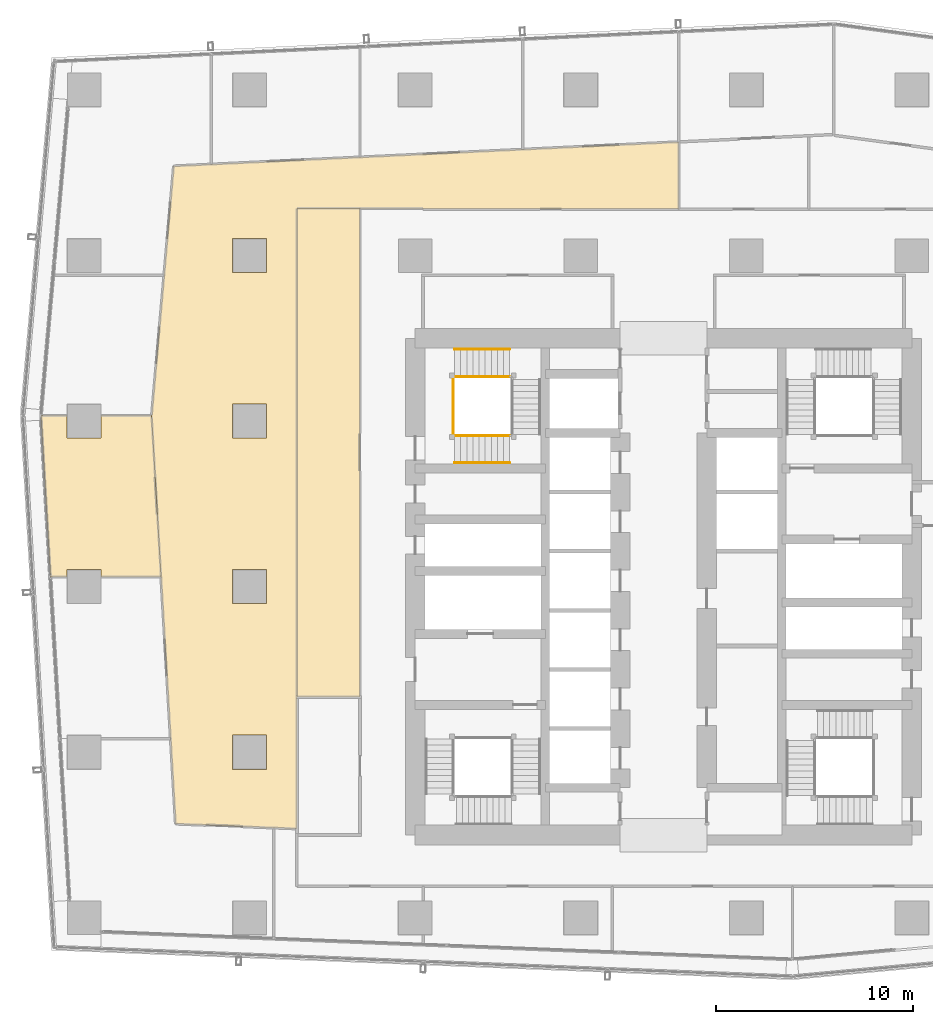
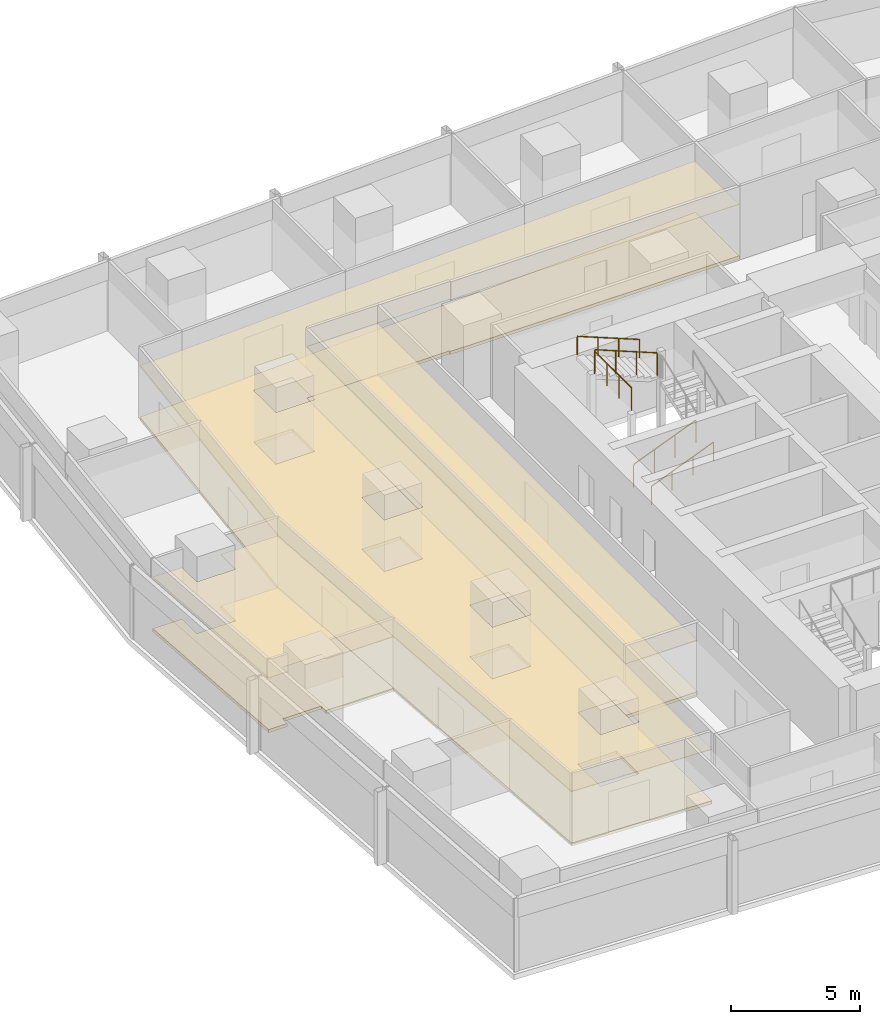
# One storey, part 30 of 34: 6 coverings, 5 railings.
"""IFC4 building model written with IfcOpenShell, lengths in metres."""

import ifcopenshell
import ifcopenshell.guid

model = None  # the IFC model being written
_history = None  # IfcOwnerHistory: only IFC2X3 demands one
_inside = {}  # id of a spatial element -> (the spatial element, [elements in it])
_under = {}  # id of a project, library or spatial element -> (it, [spatial elements below it])
_declared = {}  # id of a project -> (the project, [libraries it declares])
_typed = {}  # id of a type object -> (the type object, [elements of that type])
_made_of = {}  # id of a material, layer set ... -> (it, [elements and type objects made of it])


def new_model(schema):
    """Start an empty IFC model of exactly this schema.

    Asked for "IFC4X3", IfcOpenShell would pick the latest addendum, in which some entities
    have other attributes; the version numbers below select the first issue.
    IFC2X3 requires an IfcOwnerHistory on every rooted entity: one is made here for all.
    """
    global model, _history
    if schema == "IFC4X3":
        model = ifcopenshell.file(schema_version=(4, 3, 0, 0))
    else:
        model = ifcopenshell.file(schema=schema)
    _inside.clear()
    _under.clear()
    _declared.clear()
    _typed.clear()
    _made_of.clear()
    _history = None
    if model.schema == "IFC2X3":
        org = make("IfcOrganization", Name="unknown")
        user = make(
            "IfcPersonAndOrganization",
            ThePerson=make("IfcPerson", FamilyName="unknown"),
            TheOrganization=org,
        )
        app = make(
            "IfcApplication",
            ApplicationDeveloper=org,
            Version="unknown",
            ApplicationFullName="unknown",
            ApplicationIdentifier="unknown",
        )
        _history = make(
            "IfcOwnerHistory",
            OwningUser=user,
            OwningApplication=app,
            ChangeAction="ADDED",
            CreationDate=0,
        )
    return model


def make(cls, **values):
    """One entity of the class cls with the attributes given. An attribute that is None is left unset."""
    return model.create_entity(
        cls, **{name: value for name, value in values.items() if value is not None}
    )


def rooted(cls, **values):
    """An entity with a GlobalId (a new one), such as an element, a storey or a relation."""
    return make(cls, GlobalId=ifcopenshell.guid.new(), OwnerHistory=_history, **values)


def si_unit(unit_type, name, prefix=None):
    """IfcSIUnit, for example si_unit("LENGTHUNIT", "METRE", prefix="MILLI")."""
    return make("IfcSIUnit", UnitType=unit_type, Prefix=prefix, Name=name)


def assignment(units):
    """IfcUnitAssignment: the units of a project."""
    return None if units is None else make("IfcUnitAssignment", Units=units)


def point(xyz):
    """IfcCartesianPoint."""
    return None if xyz is None else make("IfcCartesianPoint", Coordinates=xyz)


def direction(xyz):
    """IfcDirection."""
    return None if xyz is None else make("IfcDirection", DirectionRatios=xyz)


def frame(location, z_axis=None, x_axis=None):
    """IfcAxis2Placement3D, a coordinate frame: its origin and axes. An axis left out is left unset."""
    return make(
        "IfcAxis2Placement3D",
        Location=point(location),
        Axis=direction(z_axis),
        RefDirection=direction(x_axis),
    )


def frame_2d(location, x_axis=None):
    """IfcAxis2Placement2D, a coordinate frame in the plane: its origin and x axis."""
    return make(
        "IfcAxis2Placement2D", Location=point(location), RefDirection=direction(x_axis)
    )


def origin():
    """The frame at (0, 0, 0) with its axes left unset."""
    return frame((0.0, 0.0, 0.0))


def origin_2d():
    """The frame at (0, 0) in the plane with its x axis left unset."""
    return frame_2d((0.0, 0.0))


def place(relative_to, where):
    """IfcLocalPlacement: puts the frame where relative to a parent placement (None: the world)."""
    return make(
        "IfcLocalPlacement", PlacementRelTo=relative_to, RelativePlacement=where
    )


def context(
    kind, dimensions, precision=None, world=None, true_north=None, identifier=None
):
    """IfcGeometricRepresentationContext, for example the 3D "Model" context."""
    return make(
        "IfcGeometricRepresentationContext",
        ContextIdentifier=identifier,
        ContextType=kind,
        CoordinateSpaceDimension=dimensions,
        Precision=precision,
        WorldCoordinateSystem=world,
        TrueNorth=true_north,
    )


def subcontext(parent, identifier, kind, view, scale=None):
    """IfcGeometricRepresentationSubContext, for example "Body" below "Model"."""
    return make(
        "IfcGeometricRepresentationSubContext",
        ContextIdentifier=identifier,
        ContextType=kind,
        ParentContext=parent,
        TargetScale=scale,
        TargetView=view,
    )


def project(units=None, contexts=None):
    """IfcProject with its units and contexts."""
    return rooted(
        "IfcProject",
        Name="project",
        RepresentationContexts=contexts,
        UnitsInContext=assignment(units),
    )


def spatial(cls, under=None, at=None, **own):
    """A site, building, storey or space (cls), placed at a placement, below another one or the project."""
    s = rooted(cls, ObjectPlacement=at, **own)
    if under is not None:
        _under.setdefault(under.id(), (under, []))[1].append(s)
    return s


def polyline(points):
    """IfcPolyline through the points."""
    return make("IfcPolyline", Points=[point(p) for p in points])


def profile(cls, at=None, kind="AREA", **sizes):
    """A parametric profile (cls). Its sizes go by their IFC names, for example OverallWidth=200.0."""
    return make(cls, ProfileType=kind, Position=at, **sizes)


def circle(**sizes):
    """IfcCircleProfileDef."""
    return profile("IfcCircleProfileDef", **sizes)


def outline(outer, holes=None, kind="AREA"):
    """IfcArbitraryClosedProfileDef: a profile drawn as a closed curve; with holes, ...WithVoids."""
    if holes is None:
        return make("IfcArbitraryClosedProfileDef", ProfileType=kind, OuterCurve=outer)
    return make(
        "IfcArbitraryProfileDefWithVoids",
        ProfileType=kind,
        OuterCurve=outer,
        InnerCurves=holes,
    )


def extrude(swept, where, along, depth):
    """IfcExtrudedAreaSolid: the profile swept, set in the frame where, extruded along a direction by depth."""
    return make(
        "IfcExtrudedAreaSolid",
        SweptArea=swept,
        Position=where,
        ExtrudedDirection=direction(along),
        Depth=depth,
    )


def shape(context_of_items, identifier, shape_type, items):
    """IfcShapeRepresentation: the items that make up one representation, for example the "Body"."""
    return make(
        "IfcShapeRepresentation",
        ContextOfItems=context_of_items,
        RepresentationIdentifier=identifier,
        RepresentationType=shape_type,
        Items=items,
    )


def material(Name=None, Category=None):
    """IfcMaterial."""
    return make("IfcMaterial", Name=Name, Category=Category)


def layer(
    of_material, thickness, ventilated=None, Name=None, Category=None, Priority=None
):
    """IfcMaterialLayer: one layer of a wall or slab, of a material (None: an air gap)."""
    return make(
        "IfcMaterialLayer",
        Material=of_material,
        LayerThickness=thickness,
        IsVentilated=ventilated,
        Name=Name,
        Category=Category,
        Priority=Priority,
    )


def layer_set(layers, Name=None):
    """IfcMaterialLayerSet."""
    return make("IfcMaterialLayerSet", MaterialLayers=layers, LayerSetName=Name)


def made_of(thing, what):
    """Note that an element or type object is made of a material, layer set ...; save() writes the relation."""
    if what is not None:
        _made_of.setdefault(what.id(), (what, []))[1].append(thing)
    return thing


def type_object(cls, material=None, **own):
    """A type object (cls), such as IfcWallType, which elements share."""
    return made_of(rooted(cls, **own), material)


def element(
    cls,
    number,
    at=None,
    inside=None,
    cuts=None,
    type_object=None,
    material=None,
    context=None,
    identifier="Body",
    shape_type=None,
    held_by="IfcProductDefinitionShape",
    body=None,
    shapes=None,
    **own,
):
    """One element of the class cls, such as IfcWall. Its Tag is "e" and its number.

    at: its placement. inside: the storey or other place that contains it. cuts: it is an
    opening in that element (IfcRelVoidsElement). A single representation is given by context,
    identifier, shape_type and body (its items); several are given by shapes. held_by: the class
    of the entity that holds the representations. save() writes the other relations.
    """
    e = rooted(cls, Tag="e%d" % number, ObjectPlacement=at, **own)
    if body is not None:
        shapes = [shape(context, identifier, shape_type, body)]
    if shapes is not None:
        e.Representation = make(held_by, Representations=shapes)
    if inside is not None:
        _inside.setdefault(inside.id(), (inside, []))[1].append(e)
    if cuts is not None:
        rooted(
            "IfcRelVoidsElement", RelatingBuildingElement=cuts, RelatedOpeningElement=e
        )
    if type_object is not None:
        _typed.setdefault(type_object.id(), (type_object, []))[1].append(e)
    return made_of(e, material)


def aggregate(whole, parts):
    """IfcRelAggregates: a whole, such as a stair, and the parts it consists of."""
    return rooted("IfcRelAggregates", RelatingObject=whole, RelatedObjects=parts)


def save(model, path):
    """Write the relations noted so far, then the file.

    IfcRelAggregates (storeys below a building ...), IfcRelContainedInSpatialStructure (elements
    in a storey), IfcRelDefinesByType, IfcRelAssociatesMaterial and IfcRelDeclares: one each for
    every whole, place, type object, material and project.
    """
    for whole, parts in _under.values():
        aggregate(whole, parts)
    for where, things in _inside.values():
        rooted(
            "IfcRelContainedInSpatialStructure",
            RelatedElements=things,
            RelatingStructure=where,
        )
    for kind, things in _typed.values():
        rooted("IfcRelDefinesByType", RelatedObjects=things, RelatingType=kind)
    for what, things in _made_of.values():
        rooted("IfcRelAssociatesMaterial", RelatedObjects=things, RelatingMaterial=what)
    for by, libraries in _declared.values():
        rooted("IfcRelDeclares", RelatingContext=by, RelatedDefinitions=libraries)
    model.write(path)


model = new_model("IFC4")

# Units and contexts
model_context = context("Model", 3, precision=1e-05, world=origin(), true_north=direction((0.0, 1.0)))
body_context = subcontext(model_context, "Body", "Model", "MODEL_VIEW")
ifc_project = project(units=[si_unit("LENGTHUNIT", "METRE"), si_unit("AREAUNIT", "SQUARE_METRE"), si_unit("VOLUMEUNIT", "CUBIC_METRE"), si_unit("PLANEANGLEUNIT", "RADIAN"), si_unit("MASSUNIT", "GRAM", prefix="KILO")], contexts=[model_context])

# Site, building, storey
site_placement = place(None, origin())
site = spatial("IfcSite", under=ifc_project, at=site_placement, CompositionType="ELEMENT")
building_placement = place(site_placement, origin())
building = spatial("IfcBuilding", under=site, at=building_placement, Name="Rekha Terrace Tower", CompositionType="ELEMENT")
storey_placement = place(building_placement, frame((0.0, 0.0, 176.449951171875)))
storey = spatial("IfcBuildingStorey", under=building, at=storey_placement, Name="L44", CompositionType="ELEMENT", Elevation=176.449951171875)

# Coverings
ifc_material_1 = material(Name="Mineral fibre tile in exposed grid", Category="finish")
ifc_layer_1 = layer(ifc_material_1, 0.02001953125)
ifc_layer_set_1 = layer_set([ifc_layer_1], Name="Mineral fibre tile in exposed grid")
covering_type_1 = type_object("IfcCoveringType", Name="CL1 600x1200 office grid ceiling", PredefinedType="CEILING", material=ifc_layer_set_1)
covering_1_placement = place(storey_placement, frame((0.0, 0.0, 2.580078125)))
element("IfcCovering", 1, at=covering_1_placement, inside=storey, type_object=covering_type_1, Name="Ceiling L44-14", PredefinedType="CEILING", context=body_context, shape_type="SweptSolid", body=[
    extrude(outline(polyline([(9.264892578125, 34.10205078125), (12.305908203125, 34.10205078125), (11.824951171875, 42.281005859375), (9.264892578125, 42.281005859375), (9.264892578125, 41.135009765625), (7.534912109375, 41.135009765625), (7.534912109375, 42.281005859375), (6.215087890625, 42.281005859375), (6.696044921875, 34.10205078125), (7.534912109375, 34.10205078125), (7.534912109375, 34.465087890625), (9.264892578125, 34.465087890625), (9.264892578125, 34.10205078125)])), origin(), (0.0, 0.0, 1.0), 0.02001953125),
])
covering_2_placement = place(storey_placement, frame((0.0, 0.0, 2.580078125)))
element("IfcCovering", 2, at=covering_2_placement, inside=storey, type_object=covering_type_1, Name="Ceiling L44-19", PredefinedType="CEILING", context=body_context, shape_type="SweptSolid", body=[
    extrude(outline(polyline([(19.199951171875, 52.800048828125), (19.199951171875, 28.0), (22.39990234375, 28.0), (22.39990234375, 52.800048828125), (19.199951171875, 52.800048828125)])), origin(), (0.0, 0.0, 1.0), 0.02001953125),
])
covering_3_placement = place(storey_placement, frame((0.0, 0.0, 2.580078125)))
element("IfcCovering", 3, at=covering_3_placement, inside=storey, type_object=covering_type_1, Name="Ceiling L44-O2", PredefinedType="CEILING", context=body_context, shape_type="SweptSolid", body=[
    extrude(outline(polyline([(12.4609375, 49.405029296875), (11.83203125, 42.281005859375), (11.827880859375, 42.23291015625), (12.306884765625, 34.0859375), (12.791015625, 25.873046875), (13.0439453125, 21.56396484375), (18.033935546875, 21.364990234375), (19.199951171875, 21.319091796875), (19.199951171875, 52.800048828125), (25.60205078125, 52.800048828125), (25.60205078125, 52.75), (38.570068359375, 52.75), (38.570068359375, 56.1640625), (30.64599609375, 55.784912109375), (22.385009765625, 55.39111328125), (14.826904296875, 55.029052734375), (12.948974609375, 54.93994140625), (12.4609375, 49.405029296875)]), holes=[polyline([(17.6650390625, 24.3349609375), (15.93505859375, 24.3349609375), (15.93505859375, 26.06494140625), (17.6650390625, 26.06494140625), (17.6650390625, 24.3349609375)]), polyline([(17.6650390625, 32.735107421875), (15.93505859375, 32.735107421875), (15.93505859375, 34.465087890625), (17.6650390625, 34.465087890625), (17.6650390625, 32.735107421875)]), polyline([(17.6650390625, 42.864990234375), (17.6650390625, 41.135009765625), (15.93505859375, 41.135009765625), (15.93505859375, 42.864990234375), (17.6650390625, 42.864990234375)]), polyline([(17.6650390625, 51.264892578125), (17.6650390625, 49.534912109375), (15.93505859375, 49.534912109375), (15.93505859375, 51.264892578125), (17.6650390625, 51.264892578125)])]), origin(), (0.0, 0.0, 1.0), 0.02001953125),
])

# Railings
ifc_material_2 = material(Name="Stainless steel balustrade", Category="steel")
railing_type_1 = type_object("IfcRailingType", Name="GR1 1100 stair guard", PredefinedType="GUARDRAIL", material=ifc_material_2)
railing_1_placement = place(storey_placement, frame((27.199951171875, 41.264892578125, 0.125)))
element("IfcRailing", 4, at=railing_1_placement, inside=storey, type_object=railing_type_1, Name="Guard ST4 L44 flight 1", PredefinedType="GUARDRAIL", context=body_context, shape_type="SweptSolid", body=[
    extrude(circle(Radius=0.02392578125, at=origin_2d()), frame((0.0, 0.0, 1.076171875), z_axis=(0.927443287984, 0.0, 0.373963831907), x_axis=(0.0, 1.0, 0.0)), (0.0, 0.0, 1.0), 3.00830078125),
    extrude(circle(Radius=0.02099609375, at=origin_2d()), origin(), (0.0, 0.0, 1.0), 1.052001953125),
    extrude(circle(Radius=0.02099609375, at=origin_2d()), frame((0.929931640625, 0.0, 0.375)), (0.0, 0.0, 1.0), 1.052001953125),
    extrude(circle(Radius=0.02099609375, at=origin_2d()), frame((1.860107421875, 0.0, 0.75)), (0.0, 0.0, 1.0), 1.052001953125),
    extrude(circle(Radius=0.02099609375, at=origin_2d()), frame((2.7900390625, 0.0, 1.125)), (0.0, 0.0, 1.0), 1.052001953125),
])
railing_2_placement = place(storey_placement, frame((29.989990234375, 44.260009765625, 2.625)))
element("IfcRailing", 5, at=railing_2_placement, inside=storey, type_object=railing_type_1, Name="Guard ST4 L44 flight 3", PredefinedType="GUARDRAIL", context=body_context, shape_type="SweptSolid", body=[
    extrude(circle(Radius=0.02392578125, at=origin_2d()), frame((0.0, 0.0, 1.076171875), z_axis=(-0.927443287984, 0.0, 0.373963831907), x_axis=(0.0, -1.0, 0.0)), (0.0, 0.0, 1.0), 3.00830078125),
    extrude(circle(Radius=0.02099609375, at=origin_2d()), origin(), (0.0, 0.0, 1.0), 1.052001953125),
    extrude(circle(Radius=0.02099609375, at=origin_2d()), frame((-0.929931640625, 0.0, 0.375)), (0.0, 0.0, 1.0), 1.052001953125),
    extrude(circle(Radius=0.02099609375, at=origin_2d()), frame((-1.860107421875, 0.0, 0.75)), (0.0, 0.0, 1.0), 1.052001953125),
    extrude(circle(Radius=0.02099609375, at=origin_2d()), frame((-2.7900390625, 0.0, 1.125)), (0.0, 0.0, 1.0), 1.052001953125),
])
railing_3_placement = place(storey_placement, frame((27.139892578125, 41.324951171875, 3.75)))
element("IfcRailing", 6, at=railing_3_placement, inside=storey, type_object=railing_type_1, Name="Guard ST4 L44 landing 4", PredefinedType="GUARDRAIL", context=body_context, shape_type="SweptSolid", body=[
    extrude(circle(Radius=0.02392578125, at=origin_2d()), frame((0.0, 0.0, 1.076171875), z_axis=(0.0, 1.0, 0.0), x_axis=(-1.0, 0.0, 0.0)), (0.0, 0.0, 1.0), 2.875),
    extrude(circle(Radius=0.02099609375, at=origin_2d()), origin(), (0.0, 0.0, 1.0), 1.052001953125),
    extrude(circle(Radius=0.02099609375, at=origin_2d()), frame((0.0, 0.958251953125, 0.0)), (0.0, 0.0, 1.0), 1.052001953125),
    extrude(circle(Radius=0.02099609375, at=origin_2d()), frame((0.0, 1.916748046875, 0.0)), (0.0, 0.0, 1.0), 1.052001953125),
    extrude(circle(Radius=0.02099609375, at=origin_2d()), frame((0.0, 2.875, 0.0)), (0.0, 0.0, 1.0), 1.052001953125),
])
ifc_material_3 = material(Name="Stainless steel tube", Category="steel")
railing_type_2 = type_object("IfcRailingType", Name="HR1 900 stair handrail", PredefinedType="HANDRAIL", material=ifc_material_3)
railing_4_placement = place(storey_placement, frame((27.199951171875, 39.885009765625, 0.125)))
element("IfcRailing", 7, at=railing_4_placement, inside=storey, type_object=railing_type_2, Name="Handrail ST4 L44 flight 1", PredefinedType="HANDRAIL", context=body_context, shape_type="SweptSolid", body=[
    extrude(circle(Radius=0.02392578125, at=origin_2d()), frame((0.0, 0.0, 0.8759765625), z_axis=(0.927443287984, 0.0, 0.373963831907), x_axis=(0.0, 1.0, 0.0)), (0.0, 0.0, 1.0), 3.00830078125),
    extrude(circle(Radius=0.02099609375, at=origin_2d()), origin(), (0.0, 0.0, 1.0), 0.851806640625),
    extrude(circle(Radius=0.02099609375, at=origin_2d()), frame((0.929931640625, 0.0, 0.375)), (0.0, 0.0, 1.0), 0.851806640625),
    extrude(circle(Radius=0.02099609375, at=origin_2d()), frame((1.860107421875, 0.0, 0.75)), (0.0, 0.0, 1.0), 0.851806640625),
    extrude(circle(Radius=0.02099609375, at=origin_2d()), frame((2.7900390625, 0.0, 1.125)), (0.0, 0.0, 1.0), 0.851806640625),
])
railing_5_placement = place(storey_placement, frame((29.989990234375, 45.639892578125, 2.625)))
element("IfcRailing", 8, at=railing_5_placement, inside=storey, type_object=railing_type_2, Name="Handrail ST4 L44 flight 3", PredefinedType="HANDRAIL", context=body_context, shape_type="SweptSolid", body=[
    extrude(circle(Radius=0.02392578125, at=origin_2d()), frame((0.0, 0.0, 0.8759765625), z_axis=(-0.927443287984, 0.0, 0.373963831907), x_axis=(0.0, -1.0, 0.0)), (0.0, 0.0, 1.0), 3.00830078125),
    extrude(circle(Radius=0.02099609375, at=origin_2d()), origin(), (0.0, 0.0, 1.0), 0.851806640625),
    extrude(circle(Radius=0.02099609375, at=origin_2d()), frame((-0.929931640625, 0.0, 0.375)), (0.0, 0.0, 1.0), 0.851806640625),
    extrude(circle(Radius=0.02099609375, at=origin_2d()), frame((-1.860107421875, 0.0, 0.75)), (0.0, 0.0, 1.0), 0.851806640625),
    extrude(circle(Radius=0.02099609375, at=origin_2d()), frame((-2.7900390625, 0.0, 1.125)), (0.0, 0.0, 1.0), 0.851806640625),
])

# Coverings
ifc_material_4 = material(Name="Calcium sulphate panels on steel pedestals", Category="steel")
ifc_layer_2 = layer(ifc_material_4, 0.14990234375)
ifc_layer_set_2 = layer_set([ifc_layer_2], Name="Calcium sulphate panels on steel pedestals")
covering_type_2 = type_object("IfcCoveringType", Name="RF1 150 raised access floor", PredefinedType="FLOORING", material=ifc_layer_set_2)
covering_4_placement = place(storey_placement, origin())
element("IfcCovering", 9, at=covering_4_placement, inside=storey, type_object=covering_type_2, Name="Raised floor L44-14", PredefinedType="FLOORING", context=body_context, shape_type="SweptSolid", body=[
    extrude(outline(polyline([(9.264892578125, 34.10205078125), (12.305908203125, 34.10205078125), (11.824951171875, 42.281005859375), (9.264892578125, 42.281005859375), (9.264892578125, 41.135009765625), (7.534912109375, 41.135009765625), (7.534912109375, 42.281005859375), (6.215087890625, 42.281005859375), (6.696044921875, 34.10205078125), (7.534912109375, 34.10205078125), (7.534912109375, 34.465087890625), (9.264892578125, 34.465087890625), (9.264892578125, 34.10205078125)])), origin(), (0.0, 0.0, 1.0), 0.150146484375),
])
covering_5_placement = place(storey_placement, origin())
element("IfcCovering", 10, at=covering_5_placement, inside=storey, type_object=covering_type_2, Name="Raised floor L44-19", PredefinedType="FLOORING", context=body_context, shape_type="SweptSolid", body=[
    extrude(outline(polyline([(19.199951171875, 52.800048828125), (19.199951171875, 28.0), (22.39990234375, 28.0), (22.39990234375, 52.800048828125), (19.199951171875, 52.800048828125)])), origin(), (0.0, 0.0, 1.0), 0.150146484375),
])
covering_6_placement = place(storey_placement, origin())
element("IfcCovering", 11, at=covering_6_placement, inside=storey, type_object=covering_type_2, Name="Raised floor L44-O2", PredefinedType="FLOORING", context=body_context, shape_type="SweptSolid", body=[
    extrude(outline(polyline([(12.4609375, 49.405029296875), (11.83203125, 42.281005859375), (11.827880859375, 42.23291015625), (12.306884765625, 34.0859375), (12.791015625, 25.873046875), (13.0439453125, 21.56396484375), (18.033935546875, 21.364990234375), (19.199951171875, 21.319091796875), (19.199951171875, 52.800048828125), (25.60205078125, 52.800048828125), (25.60205078125, 52.75), (38.570068359375, 52.75), (38.570068359375, 56.1640625), (30.64599609375, 55.784912109375), (22.385009765625, 55.39111328125), (14.826904296875, 55.029052734375), (12.948974609375, 54.93994140625), (12.4609375, 49.405029296875)]), holes=[polyline([(17.6650390625, 24.3349609375), (15.93505859375, 24.3349609375), (15.93505859375, 26.06494140625), (17.6650390625, 26.06494140625), (17.6650390625, 24.3349609375)]), polyline([(17.6650390625, 32.735107421875), (15.93505859375, 32.735107421875), (15.93505859375, 34.465087890625), (17.6650390625, 34.465087890625), (17.6650390625, 32.735107421875)]), polyline([(17.6650390625, 42.864990234375), (17.6650390625, 41.135009765625), (15.93505859375, 41.135009765625), (15.93505859375, 42.864990234375), (17.6650390625, 42.864990234375)]), polyline([(17.6650390625, 51.264892578125), (17.6650390625, 49.534912109375), (15.93505859375, 49.534912109375), (15.93505859375, 51.264892578125), (17.6650390625, 51.264892578125)])]), origin(), (0.0, 0.0, 1.0), 0.150146484375),
])

save(model, "model.ifc")
